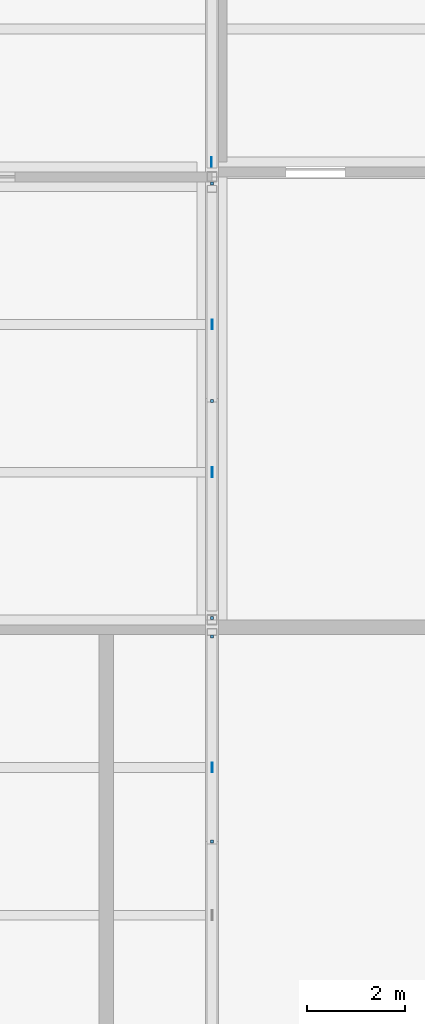
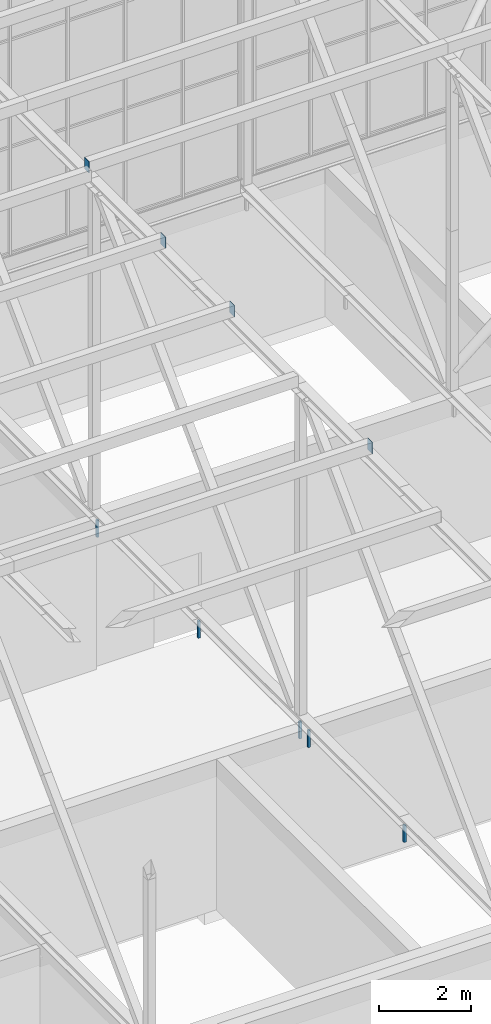
# One storey, part 202 of 646: 9 discrete accessories.
"""IFC4 building model written with IfcOpenShell, lengths in metres."""

from ifc_helpers import new_model, si_unit, direction, frame, origin, origin_2d, place, context, subcontext, project, spatial, rectangle, extrude, material, layer, layer_set, type_object, element, save


model = new_model("IFC4")

# Units and contexts
model_context = context("Model", 3, precision=1e-05, world=origin(), true_north=direction((0.0, 1.0)))
body_context = subcontext(model_context, "Body", "Model", "MODEL_VIEW")
ifc_project = project(units=[si_unit("LENGTHUNIT", "METRE"), si_unit("AREAUNIT", "SQUARE_METRE"), si_unit("VOLUMEUNIT", "CUBIC_METRE"), si_unit("PLANEANGLEUNIT", "RADIAN"), si_unit("MASSUNIT", "GRAM", prefix="KILO")], contexts=[model_context])

# Site, building, storey
site_placement = place(None, origin())
site = spatial("IfcSite", under=ifc_project, at=site_placement, CompositionType="ELEMENT")
building_placement = place(site_placement, origin())
building = spatial("IfcBuilding", under=site, at=building_placement, Name="Silverbay Arena", CompositionType="ELEMENT")
storey_placement = place(building_placement, frame((0.0, 0.0, 33.5)))
storey = spatial("IfcBuildingStorey", under=building, at=storey_placement, Name="L05", CompositionType="ELEMENT", Elevation=33.5)

# Discrete accessories
ifc_material_1 = material(Name="Steel S355", Category="steel")
discrete_accessory_type_1 = type_object("IfcDiscreteAccessoryType", Name="Ceiling hanger", PredefinedType="BRACKET", material=ifc_material_1)
for number, where, z_axis, x_axis, name in (
    (1, (81.0, 126.0400390625, 3.5498046875), (0.0, 0.0, 1.0), (1.0, 0.0, 0.0), "Ceiling hanger"),
    (2, (81.0, 130.449951171875, 3.5498046875), (0.0, 0.0, 1.0), (1.0, 0.0, 0.0), "Ceiling hanger"),
    (3, (81.0, 134.860107421875, 3.5498046875), (0.0, 0.0, 1.0), (1.0, 0.0, 0.0), "Ceiling hanger"),
    (4, (81.0, 121.5, 3.5498046875), (0.0, 0.0, 1.0), (1.0, 0.0, 0.0), "Ceiling hanger"),
    (5, (81.0, 125.659912109375, 3.5498046875), (0.0, 0.0, 1.0), (1.0, 0.0, 0.0), "Ceiling hanger"),
):
    element("IfcDiscreteAccessory", number, at=place(storey_placement, frame(where, z_axis=z_axis, x_axis=x_axis)), inside=storey, type_object=discrete_accessory_type_1, Name=name, PredefinedType="BRACKET", context=body_context, shape_type="SweptSolid", body=[
        extrude(rectangle(XDim=0.06005859375, YDim=0.06005859375, at=origin_2d()), origin(), (0.0, 0.0, 1.0), 0.449951171875),
    ])
ifc_material_2 = material(Name="Steel S355", Category="steel")
ifc_layer = layer(ifc_material_2, 0.011962890625)
ifc_layer_set = layer_set([ifc_layer], Name="Steel S355")
discrete_accessory_type_2 = type_object("IfcDiscreteAccessoryType", Name="Purlin end plate 12", PredefinedType="USERDEFINED", material=ifc_layer_set)
for number, where, z_axis, x_axis, name in (
    (6, (81.0, 123.0, 13.14990234375), (1.0, 0.0, 0.0), (0.0, 1.0, 0.0), "Purlin end plate"),
    (7, (81.0, 129.0, 13.14990234375), (1.0, 0.0, 0.0), (0.0, 1.0, 0.0), "Purlin end plate"),
    (8, (81.0, 132.0, 13.14990234375), (1.0, 0.0, 0.0), (0.0, 1.0, 0.0), "Purlin end plate"),
    (9, (81.0, 135.300048828125, 13.14990234375), (-1.0, 0.0, 0.0), (0.0, -1.0, 0.0), "Purlin end plate"),
):
    element("IfcDiscreteAccessory", number, at=place(storey_placement, frame(where, z_axis=z_axis, x_axis=x_axis)), inside=storey, type_object=discrete_accessory_type_2, Name=name, ObjectType="END PLATE", PredefinedType="USERDEFINED", context=body_context, shape_type="SweptSolid", body=[
        extrude(rectangle(XDim=0.199951171875, YDim=0.300048828125, at=origin_2d()), origin(), (0.0, 0.0, 1.0), 0.011962890625),
    ])

save(model, "model.ifc")
